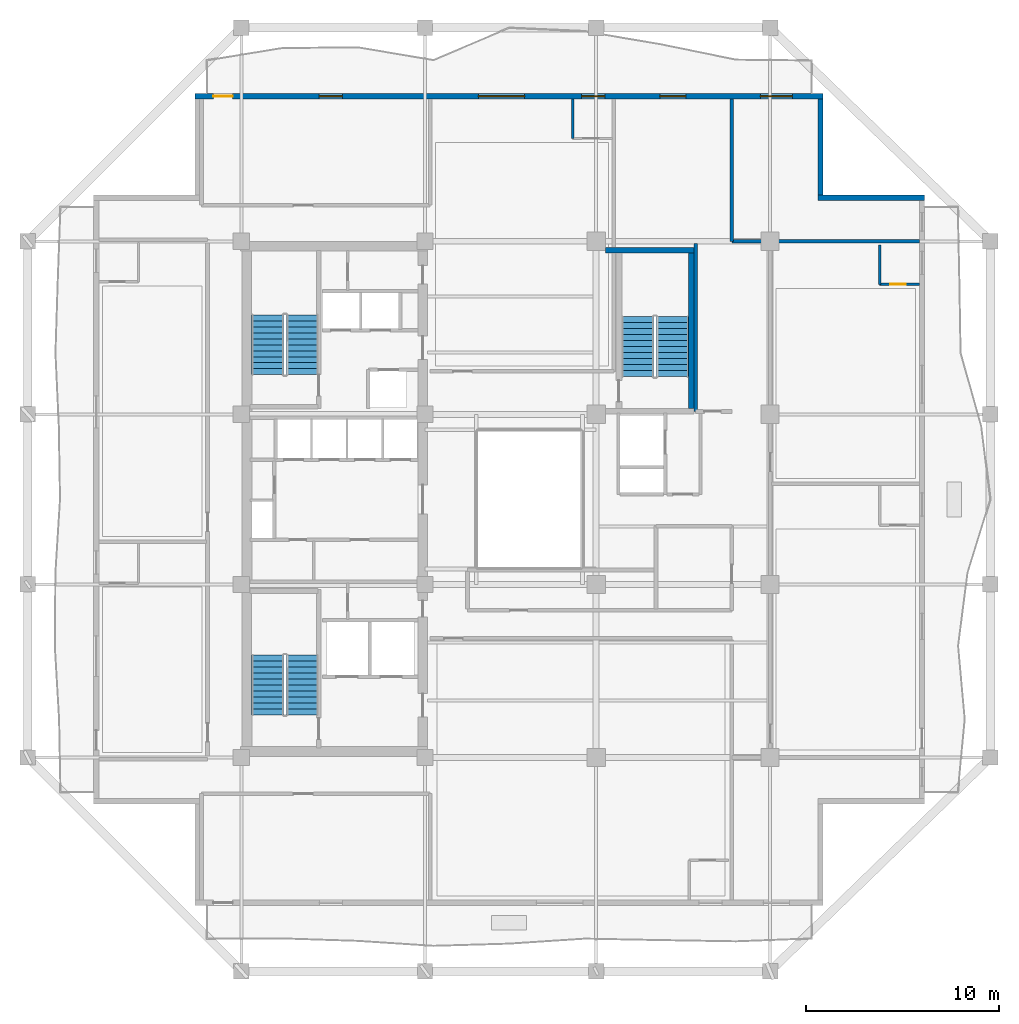
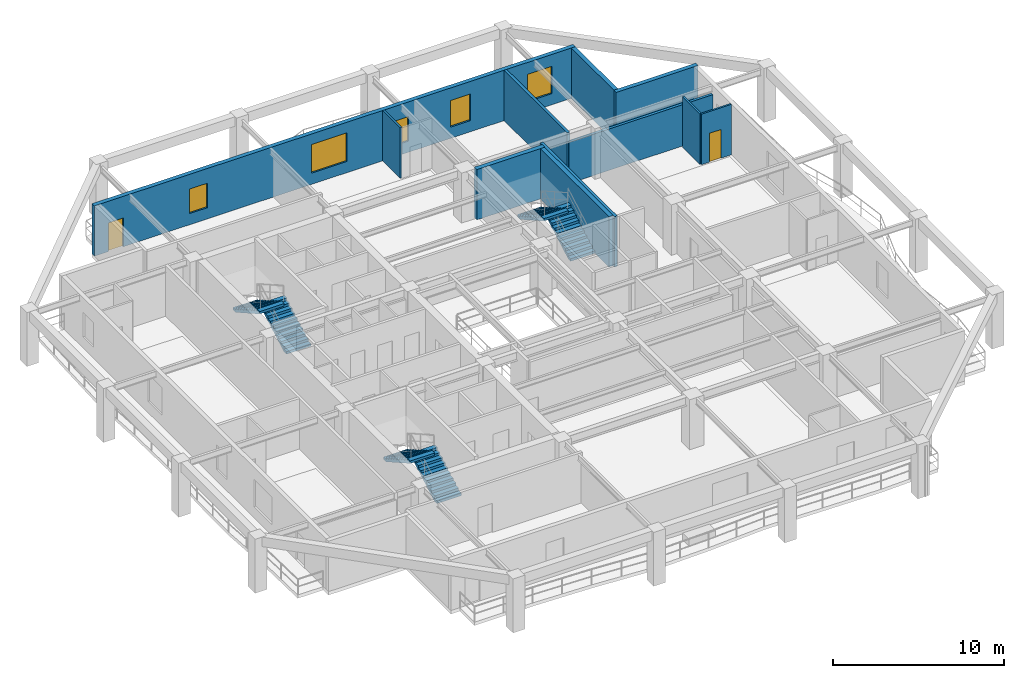
# One storey, part 6 of 12: 11 walls, 6 stair flights, 5 windows, 2 doors, 7 openings, 3 elements without a shape of their own.
"""IFC4 building model written with IfcOpenShell, lengths in metres."""

import ifcopenshell
import ifcopenshell.guid

model = None  # the IFC model being written
_history = None  # IfcOwnerHistory: only IFC2X3 demands one
_inside = {}  # id of a spatial element -> (the spatial element, [elements in it])
_under = {}  # id of a project, library or spatial element -> (it, [spatial elements below it])
_declared = {}  # id of a project -> (the project, [libraries it declares])
_typed = {}  # id of a type object -> (the type object, [elements of that type])
_made_of = {}  # id of a material, layer set ... -> (it, [elements and type objects made of it])


def new_model(schema):
    """Start an empty IFC model of exactly this schema.

    Asked for "IFC4X3", IfcOpenShell would pick the latest addendum, in which some entities
    have other attributes; the version numbers below select the first issue.
    IFC2X3 requires an IfcOwnerHistory on every rooted entity: one is made here for all.
    """
    global model, _history
    if schema == "IFC4X3":
        model = ifcopenshell.file(schema_version=(4, 3, 0, 0))
    else:
        model = ifcopenshell.file(schema=schema)
    _inside.clear()
    _under.clear()
    _declared.clear()
    _typed.clear()
    _made_of.clear()
    _history = None
    if model.schema == "IFC2X3":
        org = make("IfcOrganization", Name="unknown")
        user = make(
            "IfcPersonAndOrganization",
            ThePerson=make("IfcPerson", FamilyName="unknown"),
            TheOrganization=org,
        )
        app = make(
            "IfcApplication",
            ApplicationDeveloper=org,
            Version="unknown",
            ApplicationFullName="unknown",
            ApplicationIdentifier="unknown",
        )
        _history = make(
            "IfcOwnerHistory",
            OwningUser=user,
            OwningApplication=app,
            ChangeAction="ADDED",
            CreationDate=0,
        )
    return model


def make(cls, **values):
    """One entity of the class cls with the attributes given. An attribute that is None is left unset."""
    return model.create_entity(
        cls, **{name: value for name, value in values.items() if value is not None}
    )


def rooted(cls, **values):
    """An entity with a GlobalId (a new one), such as an element, a storey or a relation."""
    return make(cls, GlobalId=ifcopenshell.guid.new(), OwnerHistory=_history, **values)


def si_unit(unit_type, name, prefix=None):
    """IfcSIUnit, for example si_unit("LENGTHUNIT", "METRE", prefix="MILLI")."""
    return make("IfcSIUnit", UnitType=unit_type, Prefix=prefix, Name=name)


def assignment(units):
    """IfcUnitAssignment: the units of a project."""
    return None if units is None else make("IfcUnitAssignment", Units=units)


def point(xyz):
    """IfcCartesianPoint."""
    return None if xyz is None else make("IfcCartesianPoint", Coordinates=xyz)


def direction(xyz):
    """IfcDirection."""
    return None if xyz is None else make("IfcDirection", DirectionRatios=xyz)


def frame(location, z_axis=None, x_axis=None):
    """IfcAxis2Placement3D, a coordinate frame: its origin and axes. An axis left out is left unset."""
    return make(
        "IfcAxis2Placement3D",
        Location=point(location),
        Axis=direction(z_axis),
        RefDirection=direction(x_axis),
    )


def frame_2d(location, x_axis=None):
    """IfcAxis2Placement2D, a coordinate frame in the plane: its origin and x axis."""
    return make(
        "IfcAxis2Placement2D", Location=point(location), RefDirection=direction(x_axis)
    )


def origin():
    """The frame at (0, 0, 0) with its axes left unset."""
    return frame((0.0, 0.0, 0.0))


def place(relative_to, where):
    """IfcLocalPlacement: puts the frame where relative to a parent placement (None: the world)."""
    return make(
        "IfcLocalPlacement", PlacementRelTo=relative_to, RelativePlacement=where
    )


def context(
    kind, dimensions, precision=None, world=None, true_north=None, identifier=None
):
    """IfcGeometricRepresentationContext, for example the 3D "Model" context."""
    return make(
        "IfcGeometricRepresentationContext",
        ContextIdentifier=identifier,
        ContextType=kind,
        CoordinateSpaceDimension=dimensions,
        Precision=precision,
        WorldCoordinateSystem=world,
        TrueNorth=true_north,
    )


def subcontext(parent, identifier, kind, view, scale=None):
    """IfcGeometricRepresentationSubContext, for example "Body" below "Model"."""
    return make(
        "IfcGeometricRepresentationSubContext",
        ContextIdentifier=identifier,
        ContextType=kind,
        ParentContext=parent,
        TargetScale=scale,
        TargetView=view,
    )


def project(units=None, contexts=None):
    """IfcProject with its units and contexts."""
    return rooted(
        "IfcProject",
        Name="project",
        RepresentationContexts=contexts,
        UnitsInContext=assignment(units),
    )


def spatial(cls, under=None, at=None, **own):
    """A site, building, storey or space (cls), placed at a placement, below another one or the project."""
    s = rooted(cls, ObjectPlacement=at, **own)
    if under is not None:
        _under.setdefault(under.id(), (under, []))[1].append(s)
    return s


def polyline(points):
    """IfcPolyline through the points."""
    return make("IfcPolyline", Points=[point(p) for p in points])


def profile(cls, at=None, kind="AREA", **sizes):
    """A parametric profile (cls). Its sizes go by their IFC names, for example OverallWidth=200.0."""
    return make(cls, ProfileType=kind, Position=at, **sizes)


def rectangle(**sizes):
    """IfcRectangleProfileDef."""
    return profile("IfcRectangleProfileDef", **sizes)


def outline(outer, holes=None, kind="AREA"):
    """IfcArbitraryClosedProfileDef: a profile drawn as a closed curve; with holes, ...WithVoids."""
    if holes is None:
        return make("IfcArbitraryClosedProfileDef", ProfileType=kind, OuterCurve=outer)
    return make(
        "IfcArbitraryProfileDefWithVoids",
        ProfileType=kind,
        OuterCurve=outer,
        InnerCurves=holes,
    )


def extrude(swept, where, along, depth):
    """IfcExtrudedAreaSolid: the profile swept, set in the frame where, extruded along a direction by depth."""
    return make(
        "IfcExtrudedAreaSolid",
        SweptArea=swept,
        Position=where,
        ExtrudedDirection=direction(along),
        Depth=depth,
    )


def shape(context_of_items, identifier, shape_type, items):
    """IfcShapeRepresentation: the items that make up one representation, for example the "Body"."""
    return make(
        "IfcShapeRepresentation",
        ContextOfItems=context_of_items,
        RepresentationIdentifier=identifier,
        RepresentationType=shape_type,
        Items=items,
    )


def material(Name=None, Category=None):
    """IfcMaterial."""
    return make("IfcMaterial", Name=Name, Category=Category)


def layer(
    of_material, thickness, ventilated=None, Name=None, Category=None, Priority=None
):
    """IfcMaterialLayer: one layer of a wall or slab, of a material (None: an air gap)."""
    return make(
        "IfcMaterialLayer",
        Material=of_material,
        LayerThickness=thickness,
        IsVentilated=ventilated,
        Name=Name,
        Category=Category,
        Priority=Priority,
    )


def layer_set(layers, Name=None):
    """IfcMaterialLayerSet."""
    return make("IfcMaterialLayerSet", MaterialLayers=layers, LayerSetName=Name)


def made_of(thing, what):
    """Note that an element or type object is made of a material, layer set ...; save() writes the relation."""
    if what is not None:
        _made_of.setdefault(what.id(), (what, []))[1].append(thing)
    return thing


def type_object(cls, material=None, **own):
    """A type object (cls), such as IfcWallType, which elements share."""
    return made_of(rooted(cls, **own), material)


def element(
    cls,
    number,
    at=None,
    inside=None,
    cuts=None,
    type_object=None,
    material=None,
    context=None,
    identifier="Body",
    shape_type=None,
    held_by="IfcProductDefinitionShape",
    body=None,
    shapes=None,
    **own,
):
    """One element of the class cls, such as IfcWall. Its Tag is "e" and its number.

    at: its placement. inside: the storey or other place that contains it. cuts: it is an
    opening in that element (IfcRelVoidsElement). A single representation is given by context,
    identifier, shape_type and body (its items); several are given by shapes. held_by: the class
    of the entity that holds the representations. save() writes the other relations.
    """
    e = rooted(cls, Tag="e%d" % number, ObjectPlacement=at, **own)
    if body is not None:
        shapes = [shape(context, identifier, shape_type, body)]
    if shapes is not None:
        e.Representation = make(held_by, Representations=shapes)
    if inside is not None:
        _inside.setdefault(inside.id(), (inside, []))[1].append(e)
    if cuts is not None:
        rooted(
            "IfcRelVoidsElement", RelatingBuildingElement=cuts, RelatedOpeningElement=e
        )
    if type_object is not None:
        _typed.setdefault(type_object.id(), (type_object, []))[1].append(e)
    return made_of(e, material)


def fill(opening, filler):
    """IfcRelFillsElement: the door or window that sits in an opening."""
    return rooted(
        "IfcRelFillsElement",
        RelatingOpeningElement=opening,
        RelatedBuildingElement=filler,
    )


def aggregate(whole, parts):
    """IfcRelAggregates: a whole, such as a stair, and the parts it consists of."""
    return rooted("IfcRelAggregates", RelatingObject=whole, RelatedObjects=parts)


def save(model, path):
    """Write the relations noted so far, then the file.

    IfcRelAggregates (storeys below a building ...), IfcRelContainedInSpatialStructure (elements
    in a storey), IfcRelDefinesByType, IfcRelAssociatesMaterial and IfcRelDeclares: one each for
    every whole, place, type object, material and project.
    """
    for whole, parts in _under.values():
        aggregate(whole, parts)
    for where, things in _inside.values():
        rooted(
            "IfcRelContainedInSpatialStructure",
            RelatedElements=things,
            RelatingStructure=where,
        )
    for kind, things in _typed.values():
        rooted("IfcRelDefinesByType", RelatedObjects=things, RelatingType=kind)
    for what, things in _made_of.values():
        rooted("IfcRelAssociatesMaterial", RelatedObjects=things, RelatingMaterial=what)
    for by, libraries in _declared.values():
        rooted("IfcRelDeclares", RelatingContext=by, RelatedDefinitions=libraries)
    model.write(path)


model = new_model("IFC4")

# Units and contexts
model_context = context("Model", 3, precision=1e-05, world=origin(), true_north=direction((0.0, 1.0)))
body_context = subcontext(model_context, "Body", "Model", "MODEL_VIEW")
ifc_project = project(units=[si_unit("LENGTHUNIT", "METRE"), si_unit("AREAUNIT", "SQUARE_METRE"), si_unit("VOLUMEUNIT", "CUBIC_METRE"), si_unit("PLANEANGLEUNIT", "RADIAN"), si_unit("MASSUNIT", "GRAM", prefix="KILO")], contexts=[model_context])

# Site, building, storey
site_placement = place(None, origin())
site = spatial("IfcSite", under=ifc_project, at=site_placement, CompositionType="ELEMENT")
building_placement = place(site_placement, origin())
building = spatial("IfcBuilding", under=site, at=building_placement, Name="Kundavana Baori Tower", CompositionType="ELEMENT")
storey_placement = place(building_placement, frame((0.0, 0.0, 157.89990234375)))
storey = spatial("IfcBuildingStorey", under=building, at=storey_placement, Name="L38", CompositionType="ELEMENT", Elevation=157.89990234375)

# Walls
ifc_material_1 = material(Name="Red-Buff Dholpur Sandstone Cladding on Concrete C40/50", Category="masonry")
ifc_layer_1 = layer(ifc_material_1, 0.280029296875, Name="WL-EXT-SAND-280")
ifc_layer_set_1 = layer_set([ifc_layer_1], Name="Red-Buff Dholpur Sandstone Cladding on Concrete C40/50")
wall_type_1 = type_object("IfcWallType", Name="WL-EXT-SAND-280", PredefinedType="STANDARD", material=ifc_layer_set_1)
wall_1_placement = place(storey_placement, frame((50.800048828125, 44.2099609375, 0.0), z_axis=(0.0, 0.0, 1.0), x_axis=(-1.0, 0.0, 0.0)))
element("IfcWall", 1, at=wall_1_placement, inside=storey, type_object=wall_type_1, Name="L38 Exterior Insulated Facade Wall 05", PredefinedType="STANDARD", context=body_context, shape_type="SweptSolid", body=[
    extrude(rectangle(XDim=5.530029296875, YDim=0.280029296875, at=frame_2d((2.76513671875, 0.0))), origin(), (0.0, 0.0, 1.0), 3.60009765625),
])
wall_2_placement = place(storey_placement, frame((45.409912109375, 44.35009765625, 0.0), z_axis=(0.0, 0.0, 1.0), x_axis=(0.0, 1.0, 0.0)))
element("IfcWall", 2, at=wall_2_placement, inside=storey, type_object=wall_type_1, Name="L38 Exterior Insulated Facade Wall 06", PredefinedType="STANDARD", context=body_context, shape_type="SweptSolid", body=[
    extrude(rectangle(XDim=4.969970703125, YDim=0.280029296875, at=frame_2d((2.48486328125, 0.0))), origin(), (0.0, 0.0, 1.0), 3.60009765625),
])

# Wall, openings, door, windows
wall_3_placement = place(storey_placement, frame((45.550048828125, 49.4599609375, 0.0), z_axis=(0.0, 0.0, 1.0), x_axis=(-1.0, 0.0, 0.0)))
wall_3 = element("IfcWall", 3, at=wall_3_placement, inside=storey, type_object=wall_type_1, Name="L38 Exterior Insulated Facade Wall 07", PredefinedType="STANDARD", context=body_context, shape_type="SweptSolid", body=[
    extrude(rectangle(XDim=32.5, YDim=0.280029296875, at=frame_2d((16.25, 0.0))), origin(), (0.0, 0.0, 1.0), 3.60009765625),
])
opening_1_placement = place(wall_3_placement, frame((30.550048828125, 0.0, 0.0)))
opening_1 = element("IfcOpeningElement", 4, at=opening_1_placement, cuts=wall_3, Name="Opening BD-1", PredefinedType="OPENING", context=body_context, shape_type="SweptSolid", body=[
    extrude(rectangle(XDim=1.0, YDim=2.050048828125, at=frame_2d((0.5, 1.02490234375))), frame((0.0, 0.14990234375, 0.0), z_axis=(0.0, -1.0, 0.0), x_axis=(1.0, 0.0, 0.0)), (0.0, 0.0, 1.0), 0.300048828125),
])
opening_2_placement = place(wall_3_placement, frame((24.8701171875, 0.0, 0.800048828125)))
opening_2 = element("IfcOpeningElement", 5, at=opening_2_placement, cuts=wall_3, Name="Opening W-03", PredefinedType="OPENING", context=body_context, shape_type="SweptSolid", body=[
    extrude(rectangle(XDim=1.199951171875, YDim=1.75, at=frame_2d((0.60009765625, 0.875))), frame((0.0, 0.14990234375, 0.0), z_axis=(0.0, -1.0, 0.0), x_axis=(1.0, 0.0, 0.0)), (0.0, 0.0, 1.0), 0.300048828125),
])
opening_3_placement = place(wall_3_placement, frame((15.445068359375, 0.0, 0.800048828125)))
opening_3 = element("IfcOpeningElement", 6, at=opening_3_placement, cuts=wall_3, Name="Opening W-04", PredefinedType="OPENING", context=body_context, shape_type="SweptSolid", body=[
    extrude(rectangle(XDim=2.39990234375, YDim=2.050048828125, at=frame_2d((1.199951171875, 1.02490234375))), frame((0.0, 0.14990234375, 0.0), z_axis=(0.0, -1.0, 0.0), x_axis=(1.0, 0.0, 0.0)), (0.0, 0.0, 1.0), 0.300048828125),
])
opening_4_placement = place(wall_3_placement, frame((11.294921875, 0.0, 0.800048828125)))
opening_4 = element("IfcOpeningElement", 7, at=opening_4_placement, cuts=wall_3, Name="Opening W-03", PredefinedType="OPENING", context=body_context, shape_type="SweptSolid", body=[
    extrude(rectangle(XDim=1.199951171875, YDim=1.75, at=frame_2d((0.60009765625, 0.875))), frame((0.0, 0.14990234375, 0.0), z_axis=(0.0, -1.0, 0.0), x_axis=(1.0, 0.0, 0.0)), (0.0, 0.0, 1.0), 0.300048828125),
])
opening_5_placement = place(wall_3_placement, frame((7.10498046875, 0.0, 0.800048828125)))
opening_5 = element("IfcOpeningElement", 8, at=opening_5_placement, cuts=wall_3, Name="Opening W-07", PredefinedType="OPENING", context=body_context, shape_type="SweptSolid", body=[
    extrude(rectangle(XDim=1.35009765625, YDim=1.89990234375, at=frame_2d((0.675048828125, 0.949951171875))), frame((0.0, 0.14990234375, 0.0), z_axis=(0.0, -1.0, 0.0), x_axis=(1.0, 0.0, 0.0)), (0.0, 0.0, 1.0), 0.300048828125),
])
opening_6_placement = place(wall_3_placement, frame((1.594970703125, 0.0, 0.800048828125)))
opening_6 = element("IfcOpeningElement", 9, at=opening_6_placement, cuts=wall_3, Name="Opening W-08", PredefinedType="OPENING", context=body_context, shape_type="SweptSolid", body=[
    extrude(rectangle(XDim=1.64990234375, YDim=1.949951171875, at=frame_2d((0.824951171875, 0.97509765625))), frame((0.0, 0.14990234375, 0.0), z_axis=(0.0, -1.0, 0.0), x_axis=(1.0, 0.0, 0.0)), (0.0, 0.0, 1.0), 0.300048828125),
])
ifc_material_2 = material(Name="Architectural Patinated Bronze Metalwork")
door_type_1 = type_object("IfcDoorType", Name="DR-EXT-LOG-1000", OperationType="NOTDEFINED", PredefinedType="DOOR", material=ifc_material_2)
door_1_placement = place(opening_1_placement, frame((1.0, 0.0, 0.0), z_axis=(0.0, 0.0, 1.0), x_axis=(-1.0, 0.0, 0.0)))
door_1 = element("IfcDoor", 10, at=door_1_placement, inside=storey, type_object=door_type_1, Name="L38 Loggia Balcony Access Door N", OperationType="SINGLE_SWING_LEFT", OverallHeight=2.050048828125, OverallWidth=1.0, PredefinedType="DOOR", context=body_context, shape_type="SweptSolid", body=[
    extrude(rectangle(XDim=1.0, YDim=2.050048828125, at=frame_2d((0.5, 1.02490234375))), frame((0.0, 0.02490234375, 0.0), z_axis=(0.0, -1.0, 0.0), x_axis=(1.0, 0.0, 0.0)), (0.0, 0.0, 1.0), 0.050048828125),
])
fill(opening_1, door_1)
ifc_material_3 = material(Name="Double-Glazed Solar-Control Low-E Insulated Glass", Category="glass")
window_type_1 = type_object("IfcWindowType", Name="WIN-LOG-1200x1750", PartitioningType="SINGLE_PANEL", PredefinedType="WINDOW", material=ifc_material_3)
window_1_placement = place(opening_2_placement, origin())
window_1 = element("IfcWindow", 11, at=window_1_placement, inside=storey, type_object=window_type_1, Name="L38 Recessed Loggia Window N-1", OverallHeight=1.75, OverallWidth=1.199951171875, PartitioningType="SINGLE_PANEL", PredefinedType="WINDOW", context=body_context, shape_type="SweptSolid", body=[
    extrude(rectangle(XDim=1.199951171875, YDim=1.75, at=frame_2d((0.60009765625, 0.875))), frame((0.0, 0.030029296875, 0.0), z_axis=(0.0, -1.0, 0.0), x_axis=(1.0, 0.0, 0.0)), (0.0, 0.0, 1.0), 0.06005859375),
])
fill(opening_2, window_1)
window_2_placement = place(opening_4_placement, origin())
window_2 = element("IfcWindow", 12, at=window_2_placement, inside=storey, type_object=window_type_1, Name="L38 Recessed Loggia Window N-3", OverallHeight=1.75, OverallWidth=1.199951171875, PartitioningType="SINGLE_PANEL", PredefinedType="WINDOW", context=body_context, shape_type="SweptSolid", body=[
    extrude(rectangle(XDim=1.199951171875, YDim=1.75, at=frame_2d((0.60009765625, 0.875))), frame((0.0, 0.030029296875, 0.0), z_axis=(0.0, -1.0, 0.0), x_axis=(1.0, 0.0, 0.0)), (0.0, 0.0, 1.0), 0.06005859375),
])
fill(opening_4, window_2)
ifc_material_4 = material(Name="Double-Glazed Solar-Control Low-E Insulated Glass", Category="glass")
window_type_2 = type_object("IfcWindowType", Name="WIN-LOG-1350x1900", PartitioningType="SINGLE_PANEL", PredefinedType="WINDOW", material=ifc_material_4)
window_3_placement = place(opening_5_placement, origin())
window_3 = element("IfcWindow", 13, at=window_3_placement, inside=storey, type_object=window_type_2, Name="L38 Recessed Loggia Window N-4", OverallHeight=1.89990234375, OverallWidth=1.35009765625, PartitioningType="SINGLE_PANEL", PredefinedType="WINDOW", context=body_context, shape_type="SweptSolid", body=[
    extrude(rectangle(XDim=1.35009765625, YDim=1.89990234375, at=frame_2d((0.675048828125, 0.949951171875))), frame((0.0, 0.030029296875, 0.0), z_axis=(0.0, -1.0, 0.0), x_axis=(1.0, 0.0, 0.0)), (0.0, 0.0, 1.0), 0.06005859375),
])
fill(opening_5, window_3)
ifc_material_5 = material(Name="Double-Glazed Solar-Control Low-E Insulated Glass", Category="glass")
window_type_3 = type_object("IfcWindowType", Name="WIN-LOG-1650x1950", PartitioningType="SINGLE_PANEL", PredefinedType="WINDOW", material=ifc_material_5)
window_4_placement = place(opening_6_placement, origin())
window_4 = element("IfcWindow", 14, at=window_4_placement, inside=storey, type_object=window_type_3, Name="L38 Recessed Loggia Window N-5", OverallHeight=1.949951171875, OverallWidth=1.64990234375, PartitioningType="SINGLE_PANEL", PredefinedType="WINDOW", context=body_context, shape_type="SweptSolid", body=[
    extrude(rectangle(XDim=1.64990234375, YDim=1.949951171875, at=frame_2d((0.824951171875, 0.97509765625))), frame((0.0, 0.030029296875, 0.0), z_axis=(0.0, -1.0, 0.0), x_axis=(1.0, 0.0, 0.0)), (0.0, 0.0, 1.0), 0.06005859375),
])
fill(opening_6, window_4)
ifc_material_6 = material(Name="Double-Glazed Solar-Control Low-E Insulated Glass", Category="glass")
window_type_4 = type_object("IfcWindowType", Name="WIN-LOG-2400x2050", PartitioningType="SINGLE_PANEL", PredefinedType="WINDOW", material=ifc_material_6)
window_5_placement = place(opening_3_placement, origin())
window_5 = element("IfcWindow", 15, at=window_5_placement, inside=storey, type_object=window_type_4, Name="L38 Recessed Loggia Window N-2", OverallHeight=2.050048828125, OverallWidth=2.39990234375, PartitioningType="SINGLE_PANEL", PredefinedType="WINDOW", context=body_context, shape_type="SweptSolid", body=[
    extrude(rectangle(XDim=2.39990234375, YDim=2.050048828125, at=frame_2d((1.199951171875, 1.02490234375))), frame((0.0, 0.030029296875, 0.0), z_axis=(0.0, -1.0, 0.0), x_axis=(1.0, 0.0, 0.0)), (0.0, 0.0, 1.0), 0.06005859375),
])
fill(opening_3, window_5)

# Walls
ifc_material_7 = material(Name="Autoclaved Aerated Concrete Blockwork Masonry", Category="masonry")
ifc_layer_2 = layer(ifc_material_7, 0.18505859375, Name="WL-PART-180")
ifc_layer_set_2 = layer_set([ifc_layer_2], Name="Autoclaved Aerated Concrete Blockwork Masonry")
wall_type_2 = type_object("IfcWallType", Name="WL-PART-180", PredefinedType="SOLIDWALL", material=ifc_layer_set_2)
wall_4_placement = place(storey_placement, frame((40.820068359375, 41.949951171875, 0.0), z_axis=(0.0, 0.0, 1.0), x_axis=(1.0, 0.0, 0.0)))
element("IfcWall", 16, at=wall_4_placement, inside=storey, type_object=wall_type_2, Name="WL-L38-HEN", PredefinedType="SOLIDWALL", context=body_context, shape_type="SweptSolid", body=[
    extrude(rectangle(XDim=9.699951171875, YDim=0.18505859375, at=frame_2d((4.85009765625, 0.0))), origin(), (0.0, 0.0, 1.0), 2.9501953125),
])
wall_5_placement = place(storey_placement, frame((38.949951171875, 33.14990234375, 0.0), z_axis=(0.0, 0.0, 1.0), x_axis=(0.0, 1.0, 0.0)))
element("IfcWall", 17, at=wall_5_placement, inside=storey, type_object=wall_type_2, Name="WL-L38-HNEW", PredefinedType="SOLIDWALL", context=body_context, shape_type="SweptSolid", body=[
    extrude(rectangle(XDim=8.7001953125, YDim=0.18505859375, at=frame_2d((4.35009765625, 0.0))), origin(), (0.0, 0.0, 1.0), 3.60009765625),
])
wall_6_placement = place(storey_placement, frame((40.820068359375, 41.949951171875, 0.0), z_axis=(0.0, 0.0, 1.0), x_axis=(0.0, 1.0, 0.0)))
element("IfcWall", 18, at=wall_6_placement, inside=storey, type_object=wall_type_2, Name="WL-L38-HNEE", PredefinedType="SOLIDWALL", context=body_context, shape_type="SweptSolid", body=[
    extrude(rectangle(XDim=7.3701171875, YDim=0.18505859375, at=frame_2d((3.68505859375, 0.0))), origin(), (0.0, 0.0, 1.0), 3.60009765625),
])
ifc_material_8 = material(Name="Concrete C50/60", Category="concrete")
ifc_layer_3 = layer(ifc_material_8, 0.300048828125, Name="WL-ST3-300")
ifc_layer_set_3 = layer_set([ifc_layer_3], Name="Concrete C50/60")
wall_type_3 = type_object("IfcWallType", Name="WL-ST3-300", PredefinedType="SHEAR", material=ifc_layer_set_3)
wall_7_placement = place(storey_placement, frame((34.27490234375, 41.489990234375, 0.0), z_axis=(0.0, 0.0, 1.0), x_axis=(1.0, 0.0, 0.0)))
element("IfcWall", 19, at=wall_7_placement, inside=storey, type_object=wall_type_3, Name="L38 Stair ST3 North Shear Wall", PredefinedType="SHEAR", context=body_context, shape_type="SweptSolid", body=[
    extrude(rectangle(XDim=4.59521484375, YDim=0.300048828125, at=frame_2d((2.297607421875, 0.0))), origin(), (0.0, 0.0, 1.0), 3.60009765625),
])
wall_8_placement = place(storey_placement, frame((38.719970703125, 33.31005859375, 0.0), z_axis=(0.0, 0.0, 1.0), x_axis=(0.0, 1.0, 0.0)))
element("IfcWall", 20, at=wall_8_placement, inside=storey, type_object=wall_type_3, Name="L38 Stair ST3 East Shear Wall", PredefinedType="SHEAR", context=body_context, shape_type="SweptSolid", body=[
    extrude(rectangle(XDim=8.030029296875, YDim=0.300048828125, at=frame_2d((4.01513671875, 0.0))), origin(), (0.0, 0.0, 1.0), 3.60009765625),
])
ifc_material_9 = material(Name="Autoclaved Aerated Concrete Blockwork Masonry", Category="masonry")
ifc_layer_4 = layer(ifc_material_9, 0.125, Name="WL-WET-120")
ifc_layer_set_4 = layer_set([ifc_layer_4], Name="Autoclaved Aerated Concrete Blockwork Masonry")
wall_type_4 = type_object("IfcWallType", Name="WL-WET-120", PredefinedType="PLUMBINGWALL", material=ifc_layer_set_4)
wall_9_placement = place(storey_placement, frame((48.469970703125, 39.719970703125, 0.0), z_axis=(0.0, 0.0, 1.0), x_axis=(0.0, 1.0, 0.0)))
element("IfcWall", 21, at=wall_9_placement, inside=storey, type_object=wall_type_4, Name="WL-L38-HK-E2-BW", PredefinedType="PLUMBINGWALL", context=body_context, shape_type="SweptSolid", body=[
    extrude(rectangle(XDim=2.050048828125, YDim=0.125, at=frame_2d((1.02490234375, 0.0))), origin(), (0.0, 0.0, 1.0), 3.60009765625),
])

# Wall, opening, door
wall_10_placement = place(storey_placement, frame((48.469970703125, 39.719970703125, 0.0), z_axis=(0.0, 0.0, 1.0), x_axis=(1.0, 0.0, 0.0)))
wall_10 = element("IfcWall", 22, at=wall_10_placement, inside=storey, type_object=wall_type_4, Name="WL-L38-HK-E2-BS", PredefinedType="PLUMBINGWALL", context=body_context, shape_type="SweptSolid", body=[
    extrude(rectangle(XDim=2.050048828125, YDim=0.125, at=frame_2d((1.02490234375, 0.0))), origin(), (0.0, 0.0, 1.0), 3.60009765625),
])
opening_7_placement = place(wall_10_placement, frame((0.550048828125, 0.0, 0.0)))
opening_7 = element("IfcOpeningElement", 23, at=opening_7_placement, cuts=wall_10, Name="Opening WD-080", PredefinedType="OPENING", context=body_context, shape_type="SweptSolid", body=[
    extrude(rectangle(XDim=0.800048828125, YDim=2.050048828125, at=frame_2d((0.39990234375, 1.02490234375))), frame((0.0, 0.072509765625, 0.0), z_axis=(0.0, -1.0, 0.0), x_axis=(1.0, 0.0, 0.0)), (0.0, 0.0, 1.0), 0.14501953125),
])
ifc_material_10 = material(Name="Engineered Teak Solid-Core Timber Veneer", Category="wood")
door_type_2 = type_object("IfcDoorType", Name="DR-WET-800", OperationType="NOTDEFINED", PredefinedType="DOOR", material=ifc_material_10)
door_2_placement = place(opening_7_placement, frame((0.800048828125, 0.0, 0.0), z_axis=(0.0, 0.0, 1.0), x_axis=(-1.0, 0.0, 0.0)))
door_2 = element("IfcDoor", 24, at=door_2_placement, inside=storey, type_object=door_type_2, Name="DR-L38-HK-E2-ENS", OperationType="SINGLE_SWING_LEFT", OverallHeight=2.050048828125, OverallWidth=0.800048828125, PredefinedType="DOOR", context=body_context, shape_type="SweptSolid", body=[
    extrude(rectangle(XDim=0.800048828125, YDim=2.050048828125, at=frame_2d((0.39990234375, 1.02490234375))), frame((0.0, 0.02490234375, 0.0), z_axis=(0.0, -1.0, 0.0), x_axis=(1.0, 0.0, 0.0)), (0.0, 0.0, 1.0), 0.050048828125),
])
fill(opening_7, door_2)

# Wall
wall_11_placement = place(storey_placement, frame((32.590087890625, 47.27001953125, 0.0), z_axis=(0.0, 0.0, 1.0), x_axis=(0.0, 1.0, 0.0)))
element("IfcWall", 25, at=wall_11_placement, inside=storey, type_object=wall_type_4, Name="WL-L38-HK-N1-BW", PredefinedType="PLUMBINGWALL", context=body_context, shape_type="SweptSolid", body=[
    extrude(rectangle(XDim=2.050048828125, YDim=0.125, at=frame_2d((1.02490234375, 0.0))), origin(), (0.0, 0.0, 1.0), 3.60009765625),
])

# Stair, stair flights
ifc_material_11 = material(Name="Concrete C40/50", Category="concrete")
stair_type = type_object("IfcStairType", Name="STR-DOG-1650", PredefinedType="HALF_TURN_STAIR", material=ifc_material_11)
stair_1_placement = place(storey_placement, origin())
stair_1 = element("IfcStair", 26, at=stair_1_placement, inside=storey, type_object=stair_type, Name="L38 Protected Exit Stair ST1", PredefinedType="HALF_TURN_STAIR")
ifc_material_12 = material(Name="Concrete C40/50", Category="concrete")
stair_flight_type = type_object("IfcStairFlightType", Name="SFL-RC-1650", PredefinedType="STRAIGHT", material=ifc_material_12)
stair_flight_1_placement = place(storey_placement, frame((18.614990234375, 17.449951171875, 0.0), z_axis=(0.0, 0.0, 1.0), x_axis=(0.0, 1.0, 0.0)))
stair_flight_1 = element("IfcStairFlight", 27, at=stair_flight_1_placement, type_object=stair_flight_type, Name="ST1 flight 1", NumberOfRisers=11, NumberOfTreads=10, PredefinedType="STRAIGHT", RiserHeight=0.175, TreadLength=0.31, context=body_context, shape_type="SweptSolid", body=[
    extrude(outline(polyline([(0.0, 0.0), (0.0, 0.175048828125), (0.31005859375, 0.175048828125), (0.31005859375, 0.35009765625), (0.6201171875, 0.35009765625), (0.6201171875, 0.52490234375), (0.929931640625, 0.52490234375), (0.929931640625, 0.699951171875), (1.239990234375, 0.699951171875), (1.239990234375, 0.875), (1.550048828125, 0.875), (1.550048828125, 1.050048828125), (1.860107421875, 1.050048828125), (1.860107421875, 1.22509765625), (2.169921875, 1.22509765625), (2.169921875, 1.39990234375), (2.47998046875, 1.39990234375), (2.47998046875, 1.574951171875), (2.7900390625, 1.574951171875), (2.7900390625, 1.75), (3.10009765625, 1.75), (3.10009765625, 1.925048828125), (3.10009765625, 1.577880859375), (0.304931640625, 0.0), (0.0, 0.0)])), frame((0.0, 0.824951171875, 0.0), z_axis=(0.0, -1.0, 0.0), x_axis=(1.0, 0.0, 0.0)), (0.0, 0.0, 1.0), 1.64990234375),
])
stair_flight_2_placement = place(storey_placement, frame((16.804931640625, 20.550048828125, 1.925048828125), z_axis=(0.0, 0.0, 1.0), x_axis=(0.0, -1.0, 0.0)))
stair_flight_2 = element("IfcStairFlight", 28, at=stair_flight_2_placement, type_object=stair_flight_type, Name="ST1 flight 2", NumberOfRisers=11, NumberOfTreads=10, PredefinedType="STRAIGHT", RiserHeight=0.175, TreadLength=0.31, context=body_context, shape_type="SweptSolid", body=[
    extrude(outline(polyline([(0.0, 0.0), (0.0, 0.175048828125), (0.31005859375, 0.175048828125), (0.31005859375, 0.35009765625), (0.6201171875, 0.35009765625), (0.6201171875, 0.52490234375), (0.929931640625, 0.52490234375), (0.929931640625, 0.699951171875), (1.239990234375, 0.699951171875), (1.239990234375, 0.875), (1.550048828125, 0.875), (1.550048828125, 1.050048828125), (1.860107421875, 1.050048828125), (1.860107421875, 1.22509765625), (2.169921875, 1.22509765625), (2.169921875, 1.39990234375), (2.47998046875, 1.39990234375), (2.47998046875, 1.574951171875), (2.7900390625, 1.574951171875), (2.7900390625, 1.75), (3.10009765625, 1.75), (3.10009765625, 1.925048828125), (3.10009765625, 1.577880859375), (0.304931640625, 0.0), (0.0, 0.0)])), frame((0.0, 0.824951171875, 0.0), z_axis=(0.0, -1.0, 0.0), x_axis=(1.0, 0.0, 0.0)), (0.0, 0.0, 1.0), 1.64990234375),
])
aggregate(stair_1, [stair_flight_1, stair_flight_2])

stair_2_placement = place(storey_placement, origin())
stair_2 = element("IfcStair", 29, at=stair_2_placement, inside=storey, type_object=stair_type, Name="L38 Protected Exit Stair ST2", PredefinedType="HALF_TURN_STAIR")
stair_flight_3_placement = place(storey_placement, frame((18.614990234375, 35.050048828125, 0.0), z_axis=(0.0, 0.0, 1.0), x_axis=(0.0, 1.0, 0.0)))
stair_flight_3 = element("IfcStairFlight", 30, at=stair_flight_3_placement, type_object=stair_flight_type, Name="ST2 flight 1", NumberOfRisers=11, NumberOfTreads=10, PredefinedType="STRAIGHT", RiserHeight=0.175, TreadLength=0.31, context=body_context, shape_type="SweptSolid", body=[
    extrude(outline(polyline([(0.0, 0.0), (0.0, 0.175048828125), (0.31005859375, 0.175048828125), (0.31005859375, 0.35009765625), (0.6201171875, 0.35009765625), (0.6201171875, 0.52490234375), (0.929931640625, 0.52490234375), (0.929931640625, 0.699951171875), (1.239990234375, 0.699951171875), (1.239990234375, 0.875), (1.550048828125, 0.875), (1.550048828125, 1.050048828125), (1.860107421875, 1.050048828125), (1.860107421875, 1.22509765625), (2.169921875, 1.22509765625), (2.169921875, 1.39990234375), (2.47998046875, 1.39990234375), (2.47998046875, 1.574951171875), (2.7900390625, 1.574951171875), (2.7900390625, 1.75), (3.10009765625, 1.75), (3.10009765625, 1.925048828125), (3.10009765625, 1.577880859375), (0.304931640625, 0.0), (0.0, 0.0)])), frame((0.0, 0.824951171875, 0.0), z_axis=(0.0, -1.0, 0.0), x_axis=(1.0, 0.0, 0.0)), (0.0, 0.0, 1.0), 1.64990234375),
])
stair_flight_4_placement = place(storey_placement, frame((16.804931640625, 38.14990234375, 1.925048828125), z_axis=(0.0, 0.0, 1.0), x_axis=(0.0, -1.0, 0.0)))
stair_flight_4 = element("IfcStairFlight", 31, at=stair_flight_4_placement, type_object=stair_flight_type, Name="ST2 flight 2", NumberOfRisers=11, NumberOfTreads=10, PredefinedType="STRAIGHT", RiserHeight=0.175, TreadLength=0.31, context=body_context, shape_type="SweptSolid", body=[
    extrude(outline(polyline([(0.0, 0.0), (0.0, 0.175048828125), (0.31005859375, 0.175048828125), (0.31005859375, 0.35009765625), (0.6201171875, 0.35009765625), (0.6201171875, 0.52490234375), (0.929931640625, 0.52490234375), (0.929931640625, 0.699951171875), (1.239990234375, 0.699951171875), (1.239990234375, 0.875), (1.550048828125, 0.875), (1.550048828125, 1.050048828125), (1.860107421875, 1.050048828125), (1.860107421875, 1.22509765625), (2.169921875, 1.22509765625), (2.169921875, 1.39990234375), (2.47998046875, 1.39990234375), (2.47998046875, 1.574951171875), (2.7900390625, 1.574951171875), (2.7900390625, 1.75), (3.10009765625, 1.75), (3.10009765625, 1.925048828125), (3.10009765625, 1.577880859375), (0.304931640625, 0.0), (0.0, 0.0)])), frame((0.0, 0.824951171875, 0.0), z_axis=(0.0, -1.0, 0.0), x_axis=(1.0, 0.0, 0.0)), (0.0, 0.0, 1.0), 1.64990234375),
])
aggregate(stair_2, [stair_flight_3, stair_flight_4])

stair_3_placement = place(storey_placement, origin())
stair_3 = element("IfcStair", 32, at=stair_3_placement, inside=storey, type_object=stair_type, Name="L38 Protected Exit Stair ST3", PredefinedType="HALF_TURN_STAIR")
stair_flight_5_placement = place(storey_placement, frame((37.7548828125, 34.949951171875, 0.0), z_axis=(0.0, 0.0, 1.0), x_axis=(0.0, 1.0, 0.0)))
stair_flight_5 = element("IfcStairFlight", 33, at=stair_flight_5_placement, type_object=stair_flight_type, Name="ST3 flight 1", NumberOfRisers=11, NumberOfTreads=10, PredefinedType="STRAIGHT", RiserHeight=0.175, TreadLength=0.31, context=body_context, shape_type="SweptSolid", body=[
    extrude(outline(polyline([(0.0, 0.0), (0.0, 0.175048828125), (0.31005859375, 0.175048828125), (0.31005859375, 0.35009765625), (0.6201171875, 0.35009765625), (0.6201171875, 0.52490234375), (0.929931640625, 0.52490234375), (0.929931640625, 0.699951171875), (1.239990234375, 0.699951171875), (1.239990234375, 0.875), (1.550048828125, 0.875), (1.550048828125, 1.050048828125), (1.860107421875, 1.050048828125), (1.860107421875, 1.22509765625), (2.169921875, 1.22509765625), (2.169921875, 1.39990234375), (2.47998046875, 1.39990234375), (2.47998046875, 1.574951171875), (2.7900390625, 1.574951171875), (2.7900390625, 1.75), (3.10009765625, 1.75), (3.10009765625, 1.925048828125), (3.10009765625, 1.577880859375), (0.304931640625, 0.0), (0.0, 0.0)])), frame((0.0, 0.824951171875, 0.0), z_axis=(0.0, -1.0, 0.0), x_axis=(1.0, 0.0, 0.0)), (0.0, 0.0, 1.0), 1.64990234375),
])
stair_flight_6_placement = place(storey_placement, frame((35.945068359375, 38.050048828125, 1.925048828125), z_axis=(0.0, 0.0, 1.0), x_axis=(0.0, -1.0, 0.0)))
stair_flight_6 = element("IfcStairFlight", 34, at=stair_flight_6_placement, type_object=stair_flight_type, Name="ST3 flight 2", NumberOfRisers=11, NumberOfTreads=10, PredefinedType="STRAIGHT", RiserHeight=0.175, TreadLength=0.31, context=body_context, shape_type="SweptSolid", body=[
    extrude(outline(polyline([(0.0, 0.0), (0.0, 0.175048828125), (0.31005859375, 0.175048828125), (0.31005859375, 0.35009765625), (0.6201171875, 0.35009765625), (0.6201171875, 0.52490234375), (0.929931640625, 0.52490234375), (0.929931640625, 0.699951171875), (1.239990234375, 0.699951171875), (1.239990234375, 0.875), (1.550048828125, 0.875), (1.550048828125, 1.050048828125), (1.860107421875, 1.050048828125), (1.860107421875, 1.22509765625), (2.169921875, 1.22509765625), (2.169921875, 1.39990234375), (2.47998046875, 1.39990234375), (2.47998046875, 1.574951171875), (2.7900390625, 1.574951171875), (2.7900390625, 1.75), (3.10009765625, 1.75), (3.10009765625, 1.925048828125), (3.10009765625, 1.577880859375), (0.304931640625, 0.0), (0.0, 0.0)])), frame((0.0, 0.824951171875, 0.0), z_axis=(0.0, -1.0, 0.0), x_axis=(1.0, 0.0, 0.0)), (0.0, 0.0, 1.0), 1.64990234375),
])
aggregate(stair_3, [stair_flight_5, stair_flight_6])

save(model, "model.ifc")
